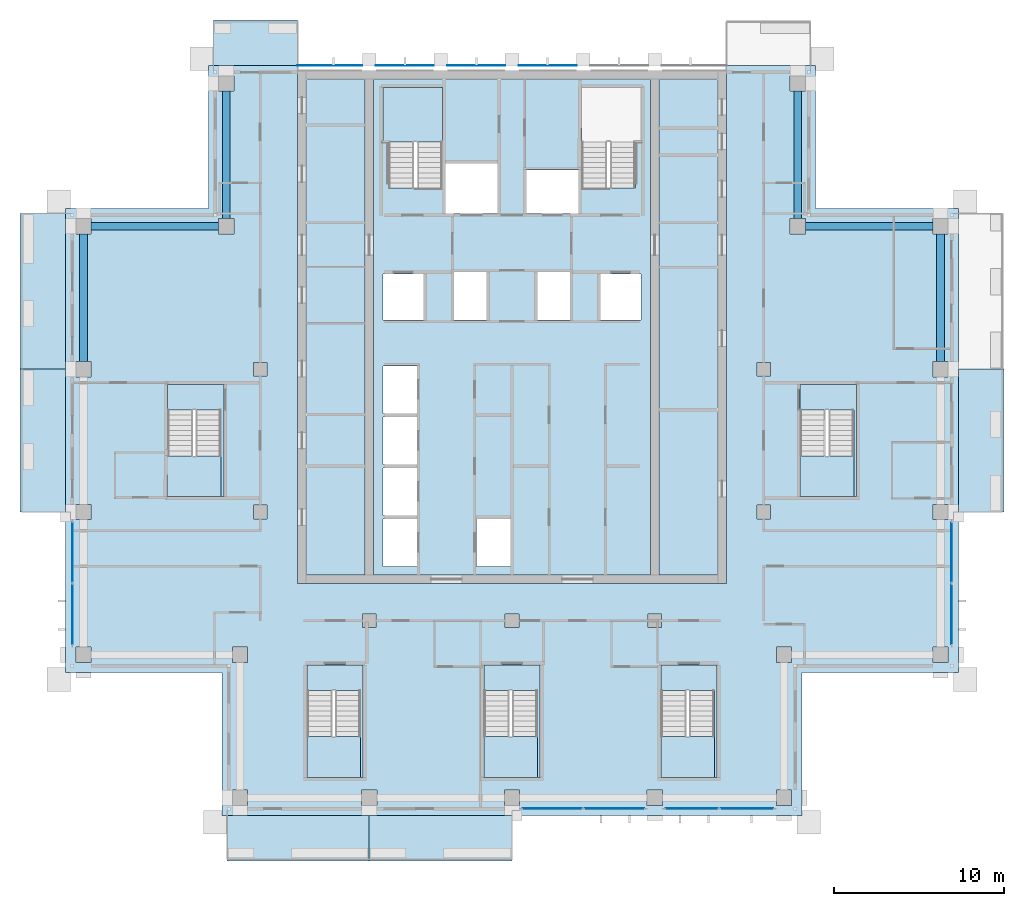
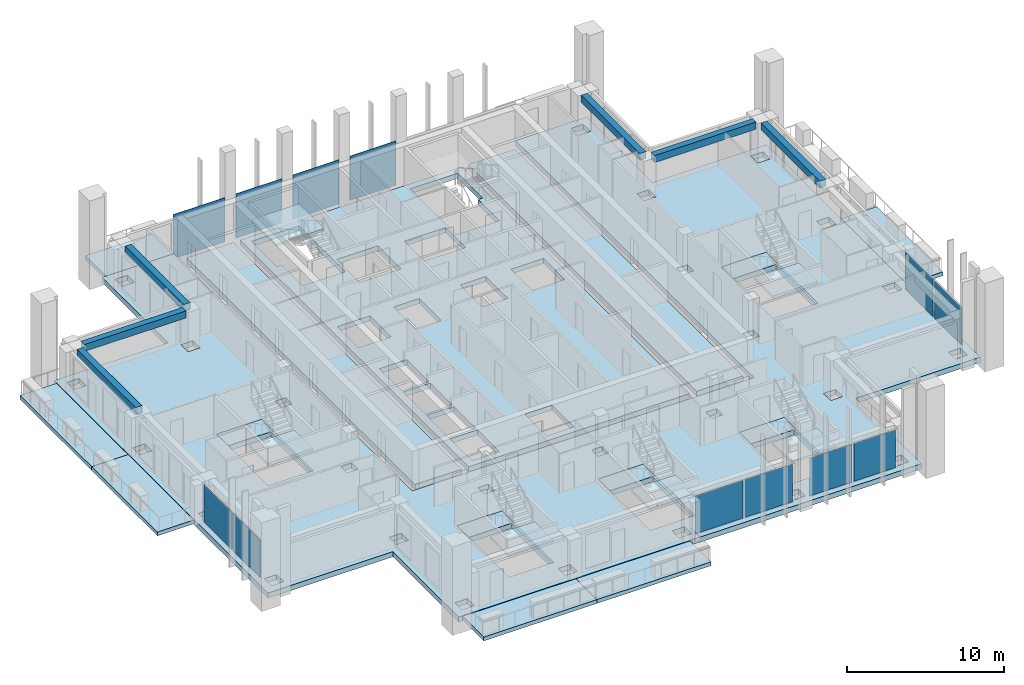
# One storey, part 5 of 16: 21 slabs, 12 plates, 6 beams, 10 elements without a shape of their own.
"""IFC4 building model written with IfcOpenShell, lengths in metres."""

from ifc_helpers import new_model, si_unit, direction, frame, origin, origin_2d, place, context, subcontext, project, spatial, polyline, rectangle, outline, extrude, material, layer, layer_set, material_profile, profile_set, type_object, element, aggregate, save


model = new_model("IFC4")

# Units and contexts
model_context = context("Model", 3, precision=1e-05, world=origin(), true_north=direction((0.0, 1.0)))
body_context = subcontext(model_context, "Body", "Model", "MODEL_VIEW")
ifc_project = project(units=[si_unit("LENGTHUNIT", "METRE"), si_unit("AREAUNIT", "SQUARE_METRE"), si_unit("VOLUMEUNIT", "CUBIC_METRE"), si_unit("PLANEANGLEUNIT", "RADIAN"), si_unit("MASSUNIT", "GRAM", prefix="KILO")], contexts=[model_context])

# Site, building, storey
site_placement = place(None, origin())
site = spatial("IfcSite", under=ifc_project, at=site_placement, CompositionType="ELEMENT")
building_placement = place(site_placement, origin())
building = spatial("IfcBuilding", under=site, at=building_placement, Name="Vermilion Ogive Tower", CompositionType="ELEMENT")
storey_placement = place(building_placement, frame((0.0, 0.0, 247.60009765625)))
storey = spatial("IfcBuildingStorey", under=building, at=storey_placement, Name="L65", CompositionType="ELEMENT", Elevation=247.60009765625)

# Beams
ifc_material_1 = material(Name="Concrete B45", Category="concrete")
ifc_material_profile = material_profile(ifc_material_1, rectangle(XDim=0.449951171875, YDim=0.550048828125, at=origin_2d()), Name="450 x 550")
ifc_profile_set = profile_set([ifc_material_profile], Name="Concrete B45")
beam_type = type_object("IfcBeamType", Name="Edge beam 450 x 550 B45", PredefinedType="BEAM", material=ifc_profile_set)
for number, where, z_axis, x_axis, name in (
    (1, (25.199951171875, 4.64990234375, 2.77490234375), (0.0, 1.0, 0.0), (-1.0, 0.0, 0.0), "L65-EB-9"),
    (2, (24.75, 12.60009765625, 2.77490234375), (-1.0, 0.0, 0.0), (0.0, -1.0, 0.0), "L65-EB-10"),
    (3, (16.800048828125, 13.050048828125, 2.77490234375), (0.0, 1.0, 0.0), (-1.0, 0.0, 0.0), "L65-EB-11"),
    (4, (-16.800048828125, 20.550048828125, 2.77490234375), (0.0, -1.0, 0.0), (1.0, 0.0, 0.0), "L65-EB-12"),
    (5, (-17.25, 12.60009765625, 2.77490234375), (-1.0, 0.0, 0.0), (0.0, -1.0, 0.0), "L65-EB-13"),
    (6, (-25.199951171875, 12.14990234375, 2.77490234375), (0.0, -1.0, 0.0), (1.0, 0.0, 0.0), "L65-EB-14"),
):
    element("IfcBeam", number, at=place(storey_placement, frame(where, z_axis=z_axis, x_axis=x_axis)), inside=storey, type_object=beam_type, Name=name, PredefinedType="BEAM", context=body_context, shape_type="SweptSolid", body=[
        extrude(rectangle(XDim=0.449951171875, YDim=0.550048828125, at=origin_2d()), origin(), (0.0, 0.0, 1.0), 7.5),
    ])

# Slabs
ifc_material_2 = material(Name="Concrete B40", Category="concrete")
ifc_layer_1 = layer(ifc_material_2, 0.300048828125)
ifc_layer_set_1 = layer_set([ifc_layer_1], Name="Balcony slab")
slab_type_1 = type_object("IfcSlabType", Name="Balcony slab", PredefinedType="FLOOR", material=ifc_layer_set_1)
slab_1_placement = place(storey_placement, frame((0.0, 0.0, -0.340087890625)))
element("IfcSlab", 7, at=slab_1_placement, inside=storey, type_object=slab_type_1, Name="Balcony slab S01", PredefinedType="FLOOR", context=body_context, shape_type="SweptSolid", body=[
    extrude(outline(polyline([(-16.75, -24.733642578125), (-8.39990234375, -24.733642578125), (-8.39990234375, -22.050048828125), (-16.75, -22.050048828125), (-16.75, -24.733642578125)])), origin(), (0.0, 0.0, 1.0), 0.300048828125),
])
slab_2_placement = place(storey_placement, frame((0.0, 0.0, -0.340087890625)))
element("IfcSlab", 8, at=slab_2_placement, inside=storey, type_object=slab_type_1, Name="Balcony slab S02", PredefinedType="FLOOR", context=body_context, shape_type="SweptSolid", body=[
    extrude(outline(polyline([(-8.39990234375, -24.733642578125), (0.0, -24.733642578125), (0.0, -22.050048828125), (-8.39990234375, -22.050048828125), (-8.39990234375, -24.733642578125)])), origin(), (0.0, 0.0, 1.0), 0.300048828125),
])
slab_3_placement = place(storey_placement, frame((0.0, 0.0, -0.340087890625)))
element("IfcSlab", 9, at=slab_3_placement, inside=storey, type_object=slab_type_1, Name="Balcony slab E02", PredefinedType="FLOOR", context=body_context, shape_type="SweptSolid", body=[
    extrude(outline(polyline([(28.93359375, -4.199951171875), (28.93359375, 4.199951171875), (26.25, 4.199951171875), (26.25, -4.199951171875), (28.93359375, -4.199951171875)])), origin(), (0.0, 0.0, 1.0), 0.300048828125),
])
slab_4_placement = place(storey_placement, frame((0.0, 0.0, -0.340087890625)))
element("IfcSlab", 10, at=slab_4_placement, inside=storey, type_object=slab_type_1, Name="Balcony slab N201", PredefinedType="FLOOR", context=body_context, shape_type="SweptSolid", body=[
    extrude(outline(polyline([(-12.60009765625, 24.733642578125), (-17.550048828125, 24.733642578125), (-17.550048828125, 22.050048828125), (-12.60009765625, 22.050048828125), (-12.60009765625, 24.733642578125)])), origin(), (0.0, 0.0, 1.0), 0.300048828125),
])
slab_5_placement = place(storey_placement, frame((0.0, 0.0, -0.340087890625)))
element("IfcSlab", 11, at=slab_5_placement, inside=storey, type_object=slab_type_1, Name="Balcony slab W01", PredefinedType="FLOOR", context=body_context, shape_type="SweptSolid", body=[
    extrude(outline(polyline([(-28.93359375, 13.35009765625), (-28.93359375, 4.199951171875), (-26.25, 4.199951171875), (-26.25, 13.35009765625), (-28.93359375, 13.35009765625)])), origin(), (0.0, 0.0, 1.0), 0.300048828125),
])
slab_6_placement = place(storey_placement, frame((0.0, 0.0, -0.340087890625)))
element("IfcSlab", 12, at=slab_6_placement, inside=storey, type_object=slab_type_1, Name="Balcony slab W02", PredefinedType="FLOOR", context=body_context, shape_type="SweptSolid", body=[
    extrude(outline(polyline([(-28.93359375, 4.199951171875), (-28.93359375, -4.199951171875), (-26.25, -4.199951171875), (-26.25, 4.199951171875), (-28.93359375, 4.199951171875)])), origin(), (0.0, 0.0, 1.0), 0.300048828125),
])

# Curtain wall, plates
ifc_material_3 = material(Name="Low-iron laminated glazing in aluminium frame", Category="aluminium")
curtain_wall_type = type_object("IfcCurtainWallType", Name="Curtain wall CW7", PredefinedType="NOTDEFINED", material=ifc_material_3)
curtain_wall_1_placement = place(storey_placement, origin())
curtain_wall_1 = element("IfcCurtainWall", 13, at=curtain_wall_1_placement, inside=storey, type_object=curtain_wall_type, Name="Glazed skin S3", PredefinedType="NOTDEFINED")
ifc_material_4 = material(Name="Low-iron laminated glazing in aluminium frame", Category="aluminium")
ifc_layer_2 = layer(ifc_material_4, 0.031982421875)
ifc_layer_set_2 = layer_set([ifc_layer_2], Name="CW7 glazing panel 32")
plate_type_1 = type_object("IfcPlateType", Name="CW7 glazing panel 32", PredefinedType="CURTAIN_PANEL", material=ifc_layer_set_2)
plate_1_placement = place(storey_placement, frame((2.3701171875, -21.64990234375, 0.06005859375), z_axis=(0.0, 0.0, 1.0), x_axis=(1.0, 0.0, 0.0)))
plate_1 = element("IfcPlate", 14, at=plate_1_placement, type_object=plate_type_1, Name="CW7-S3 panel 1.1", PredefinedType="CURTAIN_PANEL", context=body_context, shape_type="SweptSolid", body=[
    extrude(rectangle(XDim=3.47998046875, YDim=0.031982421875, at=origin_2d()), origin(), (0.0, 0.0, 1.0), 2.929931640625),
])
plate_2_placement = place(storey_placement, frame((6.030029296875, -21.64990234375, 0.06005859375), z_axis=(0.0, 0.0, 1.0), x_axis=(1.0, 0.0, 0.0)))
plate_2 = element("IfcPlate", 15, at=plate_2_placement, type_object=plate_type_1, Name="CW7-S3 panel 2.1", PredefinedType="CURTAIN_PANEL", context=body_context, shape_type="SweptSolid", body=[
    extrude(rectangle(XDim=3.47998046875, YDim=0.031982421875, at=origin_2d()), origin(), (0.0, 0.0, 1.0), 2.929931640625),
])
aggregate(curtain_wall_1, [plate_1, plate_2])

curtain_wall_2_placement = place(storey_placement, origin())
curtain_wall_2 = element("IfcCurtainWall", 16, at=curtain_wall_2_placement, inside=storey, type_object=curtain_wall_type, Name="Glazed skin S4", PredefinedType="NOTDEFINED")
plate_3_placement = place(storey_placement, frame((10.570068359375, -21.64990234375, 0.06005859375), z_axis=(0.0, 0.0, 1.0), x_axis=(1.0, 0.0, 0.0)))
plate_3 = element("IfcPlate", 17, at=plate_3_placement, type_object=plate_type_1, Name="CW7-S4 panel 1.1", PredefinedType="CURTAIN_PANEL", context=body_context, shape_type="SweptSolid", body=[
    extrude(rectangle(XDim=3.080078125, YDim=0.031982421875, at=origin_2d()), origin(), (0.0, 0.0, 1.0), 2.929931640625),
])
plate_4_placement = place(storey_placement, frame((13.830078125, -21.64990234375, 0.06005859375), z_axis=(0.0, 0.0, 1.0), x_axis=(1.0, 0.0, 0.0)))
plate_4 = element("IfcPlate", 18, at=plate_4_placement, type_object=plate_type_1, Name="CW7-S4 panel 2.1", PredefinedType="CURTAIN_PANEL", context=body_context, shape_type="SweptSolid", body=[
    extrude(rectangle(XDim=3.080078125, YDim=0.031982421875, at=origin_2d()), origin(), (0.0, 0.0, 1.0), 2.929931640625),
])
aggregate(curtain_wall_2, [plate_3, plate_4])

curtain_wall_3_placement = place(storey_placement, origin())
curtain_wall_3 = element("IfcCurtainWall", 19, at=curtain_wall_3_placement, inside=storey, type_object=curtain_wall_type, Name="Glazed skin E1", PredefinedType="NOTDEFINED")
plate_5_placement = place(storey_placement, frame((25.85009765625, -10.22998046875, 0.06005859375), z_axis=(0.0, 0.0, 1.0), x_axis=(0.0, 1.0, 0.0)))
plate_5 = element("IfcPlate", 20, at=plate_5_placement, type_object=plate_type_1, Name="CW7-E1 panel 1.1", PredefinedType="CURTAIN_PANEL", context=body_context, shape_type="SweptSolid", body=[
    extrude(rectangle(XDim=3.47998046875, YDim=0.031982421875, at=origin_2d()), origin(), (0.0, 0.0, 1.0), 2.929931640625),
])
plate_6_placement = place(storey_placement, frame((25.85009765625, -6.570068359375, 0.06005859375), z_axis=(0.0, 0.0, 1.0), x_axis=(0.0, 1.0, 0.0)))
plate_6 = element("IfcPlate", 21, at=plate_6_placement, type_object=plate_type_1, Name="CW7-E1 panel 2.1", PredefinedType="CURTAIN_PANEL", context=body_context, shape_type="SweptSolid", body=[
    extrude(rectangle(XDim=3.47998046875, YDim=0.031982421875, at=origin_2d()), origin(), (0.0, 0.0, 1.0), 2.929931640625),
])
aggregate(curtain_wall_3, [plate_5, plate_6])

curtain_wall_4_placement = place(storey_placement, origin())
curtain_wall_4 = element("IfcCurtainWall", 22, at=curtain_wall_4_placement, inside=storey, type_object=curtain_wall_type, Name="Glazed skin W3", PredefinedType="NOTDEFINED")
plate_7_placement = place(storey_placement, frame((-25.85009765625, -6.570068359375, 0.06005859375), z_axis=(0.0, 0.0, 1.0), x_axis=(0.0, -1.0, 0.0)))
plate_7 = element("IfcPlate", 23, at=plate_7_placement, type_object=plate_type_1, Name="CW7-W3 panel 1.1", PredefinedType="CURTAIN_PANEL", context=body_context, shape_type="SweptSolid", body=[
    extrude(rectangle(XDim=3.47998046875, YDim=0.031982421875, at=origin_2d()), origin(), (0.0, 0.0, 1.0), 2.929931640625),
])
plate_8_placement = place(storey_placement, frame((-25.85009765625, -10.22998046875, 0.06005859375), z_axis=(0.0, 0.0, 1.0), x_axis=(0.0, -1.0, 0.0)))
plate_8 = element("IfcPlate", 24, at=plate_8_placement, type_object=plate_type_1, Name="CW7-W3 panel 2.1", PredefinedType="CURTAIN_PANEL", context=body_context, shape_type="SweptSolid", body=[
    extrude(rectangle(XDim=3.47998046875, YDim=0.031982421875, at=origin_2d()), origin(), (0.0, 0.0, 1.0), 2.929931640625),
])
aggregate(curtain_wall_4, [plate_7, plate_8])

# Slabs
ifc_material_5 = material(Name="Concrete B40", Category="concrete")
ifc_layer_3 = layer(ifc_material_5, 0.39990234375)
ifc_layer_set_3 = layer_set([ifc_layer_3], Name="Core floor slab 400 B40")
slab_type_2 = type_object("IfcSlabType", Name="Core floor slab 400 B40", PredefinedType="FLOOR", material=ifc_layer_set_3)
slab_7_placement = place(storey_placement, frame((0.0, 0.0, -0.400146484375)))
element("IfcSlab", 25, at=slab_7_placement, inside=storey, type_object=slab_type_2, Name="L65-CK-FS1", PredefinedType="FLOOR", context=body_context, shape_type="SweptSolid", body=[
    extrude(outline(polyline([(-8.654052734375, 21.24609375), (-8.654052734375, -7.89599609375), (-12.095947265625, -7.89599609375), (-12.095947265625, 21.24609375), (-8.654052734375, 21.24609375)])), origin(), (0.0, 0.0, 1.0), 0.400146484375),
])
slab_8_placement = place(storey_placement, frame((0.0, 0.0, -0.400146484375)))
element("IfcSlab", 26, at=slab_8_placement, inside=storey, type_object=slab_type_2, Name="L65-CK-FS2", PredefinedType="FLOOR", context=body_context, shape_type="SweptSolid", body=[
    extrude(outline(polyline([(-8.14599609375, -7.89599609375), (8.14599609375, -7.89599609375), (8.14599609375, 21.24609375), (-8.14599609375, 21.24609375), (-8.14599609375, -7.89599609375)]), holes=[polyline([(-7.60009765625, -7.39990234375), (-7.60009765625, -4.60009765625), (-5.60009765625, -4.60009765625), (-5.60009765625, -7.39990234375), (-7.60009765625, -7.39990234375)]), polyline([(-7.60009765625, -4.39990234375), (-7.60009765625, -1.60009765625), (-5.60009765625, -1.60009765625), (-5.60009765625, -4.39990234375), (-7.60009765625, -4.39990234375)]), polyline([(-7.60009765625, -1.39990234375), (-7.60009765625, 1.39990234375), (-5.60009765625, 1.39990234375), (-5.60009765625, -1.39990234375), (-7.60009765625, -1.39990234375)]), polyline([(-7.60009765625, 1.60009765625), (-7.60009765625, 4.39990234375), (-5.60009765625, 4.39990234375), (-5.60009765625, 1.60009765625), (-7.60009765625, 1.60009765625)]), polyline([(-7.60009765625, 7.10009765625), (-7.60009765625, 9.800048828125), (-5.199951171875, 9.800048828125), (-5.199951171875, 7.10009765625), (-7.60009765625, 7.10009765625)]), polyline([(-3.39990234375, 9.89990234375), (-1.5, 9.89990234375), (-1.5, 7.10009765625), (-3.39990234375, 7.10009765625), (-3.39990234375, 9.89990234375)]), polyline([(-7.60009765625, 17.550048828125), (-7.60009765625, 20.75), (-4.10009765625, 20.75), (-4.10009765625, 14.85205078125), (-5.60009765625, 14.85205078125), (-5.60009765625, 14.85009765625), (-5.75, 14.85009765625), (-5.75, 14.85205078125), (-7.25, 14.85205078125), (-7.25, 17.550048828125), (-7.60009765625, 17.550048828125)]), polyline([(-2.10009765625, -7.39990234375), (-2.10009765625, -4.60009765625), (-0.10009765625, -4.60009765625), (-0.10009765625, -7.39990234375), (-2.10009765625, -7.39990234375)]), polyline([(5.199951171875, 7.10009765625), (5.199951171875, 9.800048828125), (7.60009765625, 9.800048828125), (7.60009765625, 7.10009765625), (5.199951171875, 7.10009765625)]), polyline([(1.5, 7.10009765625), (1.5, 9.89990234375), (3.39990234375, 9.89990234375), (3.39990234375, 7.10009765625), (1.5, 7.10009765625)]), polyline([(0.85009765625, 13.35009765625), (0.85009765625, 15.89990234375), (3.89990234375, 15.89990234375), (3.89990234375, 13.35009765625), (0.85009765625, 13.35009765625)]), polyline([(-3.89990234375, 16.300048828125), (-0.85009765625, 16.300048828125), (-0.85009765625, 13.35009765625), (-3.89990234375, 13.35009765625), (-3.89990234375, 16.300048828125)]), polyline([(5.75, 14.85009765625), (5.60009765625, 14.85009765625), (5.60009765625, 14.85205078125), (4.10009765625, 14.85205078125), (4.10009765625, 17.550048828125), (4.074951171875, 17.550048828125), (4.074951171875, 20.75), (7.60009765625, 20.75), (7.60009765625, 17.550048828125), (7.25, 17.550048828125), (7.25, 14.85205078125), (5.75, 14.85205078125), (5.75, 14.85009765625)])]), origin(), (0.0, 0.0, 1.0), 0.400146484375),
])
slab_9_placement = place(storey_placement, frame((0.0, 0.0, -0.400146484375)))
element("IfcSlab", 27, at=slab_9_placement, inside=storey, type_object=slab_type_2, Name="L65-CK-FS3", PredefinedType="FLOOR", context=body_context, shape_type="SweptSolid", body=[
    extrude(outline(polyline([(8.654052734375, 21.24609375), (12.095947265625, 21.24609375), (12.095947265625, -7.89599609375), (8.654052734375, -7.89599609375), (8.654052734375, 21.24609375)])), origin(), (0.0, 0.0, 1.0), 0.400146484375),
])
slab_10_placement = place(storey_placement, frame((0.0, 0.0, -0.400146484375)))
element("IfcSlab", 28, at=slab_10_placement, inside=storey, type_object=slab_type_2, Name="L65-SF-ST3-1", PredefinedType="FLOOR", context=body_context, shape_type="SweptSolid", body=[
    extrude(outline(polyline([(-12.050048828125, -13.199951171875), (-12.050048828125, -14.701904296875), (-10.550048828125, -14.701904296875), (-10.550048828125, -14.699951171875), (-10.39990234375, -14.699951171875), (-10.39990234375, -14.701904296875), (-8.89990234375, -14.701904296875), (-8.89990234375, -19.800048828125), (-8.75, -19.800048828125), (-8.75, -13.199951171875), (-12.050048828125, -13.199951171875)])), origin(), (0.0, 0.0, 1.0), 0.400146484375),
])
slab_11_placement = place(storey_placement, frame((0.0, 0.0, -0.400146484375)))
element("IfcSlab", 29, at=slab_11_placement, inside=storey, type_object=slab_type_2, Name="L65-SF-ST4-1", PredefinedType="FLOOR", context=body_context, shape_type="SweptSolid", body=[
    extrude(outline(polyline([(-1.64990234375, -13.199951171875), (-1.64990234375, -14.701904296875), (-0.14990234375, -14.701904296875), (-0.14990234375, -14.699951171875), (0.0, -14.699951171875), (0.0, -14.701904296875), (1.5, -14.701904296875), (1.5, -19.800048828125), (1.64990234375, -19.800048828125), (1.64990234375, -13.199951171875), (-1.64990234375, -13.199951171875)])), origin(), (0.0, 0.0, 1.0), 0.400146484375),
])
slab_12_placement = place(storey_placement, frame((0.0, 0.0, -0.400146484375)))
element("IfcSlab", 30, at=slab_12_placement, inside=storey, type_object=slab_type_2, Name="L65-SF-ST5-1", PredefinedType="FLOOR", context=body_context, shape_type="SweptSolid", body=[
    extrude(outline(polyline([(8.75, -13.199951171875), (8.75, -14.701904296875), (10.25, -14.701904296875), (10.25, -14.699951171875), (10.39990234375, -14.699951171875), (10.39990234375, -14.701904296875), (11.89990234375, -14.701904296875), (11.89990234375, -19.800048828125), (12.050048828125, -19.800048828125), (12.050048828125, -13.199951171875), (8.75, -13.199951171875)])), origin(), (0.0, 0.0, 1.0), 0.400146484375),
])
slab_13_placement = place(storey_placement, frame((0.0, 0.0, -0.400146484375)))
element("IfcSlab", 31, at=slab_13_placement, inside=storey, type_object=slab_type_2, Name="L65-SF-ST8-1", PredefinedType="FLOOR", context=body_context, shape_type="SweptSolid", body=[
    extrude(outline(polyline([(16.949951171875, 3.300048828125), (16.949951171875, 1.798095703125), (18.449951171875, 1.798095703125), (18.449951171875, 1.800048828125), (18.60009765625, 1.800048828125), (18.60009765625, 1.798095703125), (20.10009765625, 1.798095703125), (20.10009765625, -3.300048828125), (20.25, -3.300048828125), (20.25, 3.300048828125), (16.949951171875, 3.300048828125)])), origin(), (0.0, 0.0, 1.0), 0.400146484375),
])
slab_14_placement = place(storey_placement, frame((0.0, 0.0, -0.400146484375)))
element("IfcSlab", 32, at=slab_14_placement, inside=storey, type_object=slab_type_2, Name="L65-SF-ST9-1", PredefinedType="FLOOR", context=body_context, shape_type="SweptSolid", body=[
    extrude(outline(polyline([(-20.25, 3.300048828125), (-20.25, 1.798095703125), (-18.75, 1.798095703125), (-18.75, 1.800048828125), (-18.60009765625, 1.800048828125), (-18.60009765625, 1.798095703125), (-17.10009765625, 1.798095703125), (-17.10009765625, -3.300048828125), (-16.949951171875, -3.300048828125), (-16.949951171875, 3.300048828125), (-20.25, 3.300048828125)])), origin(), (0.0, 0.0, 1.0), 0.400146484375),
])

# Plates
ifc_material_6 = material(Name="Low-iron laminated glazing in aluminium frame", Category="aluminium")
ifc_layer_4 = layer(ifc_material_6, 0.031982421875)
ifc_layer_set_4 = layer_set([ifc_layer_4], Name="Glazed rainscreen sheet 32")
plate_type_2 = type_object("IfcPlateType", Name="Glazed rainscreen sheet 32", PredefinedType="SHEET", material=ifc_layer_set_4)
plate_9_placement = place(storey_placement, frame((-10.7099609375, 22.06591796875, -0.39990234375), z_axis=(0.0, 0.0, 1.0), x_axis=(1.0, 0.0, 0.0)))
element("IfcPlate", 33, at=plate_9_placement, inside=storey, type_object=plate_type_2, Name="Glazed rainscreen sheet N1", PredefinedType="SHEET", context=body_context, shape_type="SweptSolid", body=[
    extrude(rectangle(XDim=3.820068359375, YDim=0.031982421875, at=origin_2d()), origin(), (0.0, 0.0, 1.0), 3.449951171875),
])
for number, where, z_axis, x_axis, name in (
    (34, (-6.300048828125, 22.06591796875, -0.39990234375), (0.0, 0.0, 1.0), (1.0, 0.0, 0.0), "Glazed rainscreen sheet N2"),
    (35, (-2.10009765625, 22.06591796875, -0.39990234375), (0.0, 0.0, 1.0), (1.0, 0.0, 0.0), "Glazed rainscreen sheet N3"),
    (36, (2.10009765625, 22.06591796875, -0.39990234375), (0.0, 0.0, 1.0), (1.0, 0.0, 0.0), "Glazed rainscreen sheet N4"),
):
    element("IfcPlate", number, at=place(storey_placement, frame(where, z_axis=z_axis, x_axis=x_axis)), inside=storey, type_object=plate_type_2, Name=name, PredefinedType="SHEET", context=body_context, shape_type="SweptSolid", body=[
        extrude(rectangle(XDim=3.39990234375, YDim=0.031982421875, at=origin_2d()), origin(), (0.0, 0.0, 1.0), 3.449951171875),
    ])

# Slab
ifc_material_7 = material(Name="Concrete B45", Category="concrete")
ifc_layer_5 = layer(ifc_material_7, 0.39990234375)
ifc_layer_set_5 = layer_set([ifc_layer_5], Name="Post-tensioned flat plate 400 B45")
slab_type_3 = type_object("IfcSlabType", Name="Post-tensioned flat plate 400 B45", PredefinedType="FLOOR", material=ifc_layer_set_5)
slab_15_placement = place(storey_placement, frame((0.0, 0.0, -0.400146484375)))
element("IfcSlab", 37, at=slab_15_placement, inside=storey, type_object=slab_type_3, Name="L65-SL-1", PredefinedType="FLOOR", context=body_context, shape_type="SweptSolid", body=[
    extrude(outline(polyline([(-26.25, 13.64990234375), (-26.25, -13.64990234375), (-17.050048828125, -13.64990234375), (-17.050048828125, -22.050048828125), (17.050048828125, -22.050048828125), (17.050048828125, -13.64990234375), (26.25, -13.64990234375), (26.25, 13.64990234375), (17.85009765625, 13.64990234375), (17.85009765625, 22.050048828125), (12.60009765625, 22.050048828125), (12.60009765625, -8.39990234375), (-12.60009765625, -8.39990234375), (-12.60009765625, 22.050048828125), (-17.85009765625, 22.050048828125), (-17.85009765625, 13.64990234375), (-26.25, 13.64990234375)]), holes=[polyline([(24.75, -3.75), (25.64990234375, -3.75), (25.64990234375, -4.64990234375), (24.75, -4.64990234375), (24.75, -3.75)]), polyline([(24.75, -12.14990234375), (25.64990234375, -12.14990234375), (25.64990234375, -13.050048828125), (24.75, -13.050048828125), (24.75, -12.14990234375)]), polyline([(25.64990234375, 13.050048828125), (25.64990234375, 12.14990234375), (24.75, 12.14990234375), (24.75, 13.050048828125), (25.64990234375, 13.050048828125)]), polyline([(25.64990234375, 4.64990234375), (25.64990234375, 3.75), (24.75, 3.75), (24.75, 4.64990234375), (25.64990234375, 4.64990234375)]), polyline([(20.275146484375, -3.2998046875), (20.25, -3.2998046875), (20.25, -3.300048828125), (16.949951171875, -3.300048828125), (16.949951171875, 3.300048828125), (20.25, 3.300048828125), (20.25, -0.89990234375), (20.275146484375, -0.89990234375), (20.275146484375, -3.2998046875)]), polyline([(16.35009765625, 13.050048828125), (17.25, 13.050048828125), (17.25, 12.14990234375), (16.35009765625, 12.14990234375), (16.35009765625, 13.050048828125)]), polyline([(17.25, 21.449951171875), (17.25, 20.550048828125), (16.35009765625, 20.550048828125), (16.35009765625, 21.449951171875), (17.25, 21.449951171875)]), polyline([(15.550048828125, -12.14990234375), (16.449951171875, -12.14990234375), (16.449951171875, -13.050048828125), (15.550048828125, -13.050048828125), (15.550048828125, -12.14990234375)]), polyline([(15.550048828125, -20.550048828125), (16.449951171875, -20.550048828125), (16.449951171875, -21.449951171875), (15.550048828125, -21.449951171875), (15.550048828125, -20.550048828125)]), polyline([(14.39990234375, 4.60009765625), (15.199951171875, 4.60009765625), (15.199951171875, 3.800048828125), (14.39990234375, 3.800048828125), (14.39990234375, 4.60009765625)]), polyline([(15.199951171875, -3.800048828125), (15.199951171875, -4.60009765625), (14.39990234375, -4.60009765625), (14.39990234375, -3.800048828125), (15.199951171875, -3.800048828125)]), polyline([(8.75, -13.199951171875), (12.050048828125, -13.199951171875), (12.050048828125, -19.800048828125), (8.75, -19.800048828125), (8.75, -13.199951171875)]), polyline([(7.949951171875, -20.550048828125), (8.85009765625, -20.550048828125), (8.85009765625, -21.449951171875), (7.949951171875, -21.449951171875), (7.949951171875, -20.550048828125)]), polyline([(8.800048828125, -10.199951171875), (8.800048828125, -11.0), (8.0, -11.0), (8.0, -10.199951171875), (8.800048828125, -10.199951171875)]), polyline([(-1.64990234375, -13.199951171875), (1.64990234375, -13.199951171875), (1.64990234375, -19.800048828125), (-1.64990234375, -19.800048828125), (-1.64990234375, -13.199951171875)]), polyline([(-0.449951171875, -20.550048828125), (0.449951171875, -20.550048828125), (0.449951171875, -21.449951171875), (-0.449951171875, -21.449951171875), (-0.449951171875, -20.550048828125)]), polyline([(-0.39990234375, -10.199951171875), (0.39990234375, -10.199951171875), (0.39990234375, -11.0), (-0.39990234375, -11.0), (-0.39990234375, -10.199951171875)]), polyline([(-8.85009765625, -20.550048828125), (-7.949951171875, -20.550048828125), (-7.949951171875, -21.449951171875), (-8.85009765625, -21.449951171875), (-8.85009765625, -20.550048828125)]), polyline([(-8.800048828125, -10.199951171875), (-8.0, -10.199951171875), (-8.0, -11.0), (-8.800048828125, -11.0), (-8.800048828125, -10.199951171875)]), polyline([(-12.050048828125, -13.199951171875), (-8.75, -13.199951171875), (-8.75, -19.800048828125), (-12.050048828125, -19.800048828125), (-12.050048828125, -13.199951171875)]), polyline([(-15.199951171875, 4.60009765625), (-14.39990234375, 4.60009765625), (-14.39990234375, 3.800048828125), (-15.199951171875, 3.800048828125), (-15.199951171875, 4.60009765625)]), polyline([(-14.39990234375, -3.800048828125), (-14.39990234375, -4.60009765625), (-15.199951171875, -4.60009765625), (-15.199951171875, -3.800048828125), (-14.39990234375, -3.800048828125)]), polyline([(-16.449951171875, -12.14990234375), (-15.550048828125, -12.14990234375), (-15.550048828125, -13.050048828125), (-16.449951171875, -13.050048828125), (-16.449951171875, -12.14990234375)]), polyline([(-16.449951171875, -20.550048828125), (-15.550048828125, -20.550048828125), (-15.550048828125, -21.449951171875), (-16.449951171875, -21.449951171875), (-16.449951171875, -20.550048828125)]), polyline([(-17.25, 13.050048828125), (-16.35009765625, 13.050048828125), (-16.35009765625, 12.14990234375), (-17.25, 12.14990234375), (-17.25, 13.050048828125)]), polyline([(-16.35009765625, 21.449951171875), (-16.35009765625, 20.550048828125), (-17.25, 20.550048828125), (-17.25, 21.449951171875), (-16.35009765625, 21.449951171875)]), polyline([(-20.25, -3.300048828125), (-20.25, -3.2998046875), (-20.275146484375, -3.2998046875), (-20.275146484375, -0.89990234375), (-20.25, -0.89990234375), (-20.25, 3.300048828125), (-16.949951171875, 3.300048828125), (-16.949951171875, -3.300048828125), (-20.25, -3.300048828125)]), polyline([(-24.75, 4.64990234375), (-24.75, 3.75), (-25.64990234375, 3.75), (-25.64990234375, 4.64990234375), (-24.75, 4.64990234375)]), polyline([(-25.64990234375, 13.050048828125), (-24.75, 13.050048828125), (-24.75, 12.14990234375), (-25.64990234375, 12.14990234375), (-25.64990234375, 13.050048828125)]), polyline([(-25.64990234375, -3.75), (-24.75, -3.75), (-24.75, -4.64990234375), (-25.64990234375, -4.64990234375), (-25.64990234375, -3.75)]), polyline([(-25.64990234375, -12.14990234375), (-24.75, -12.14990234375), (-24.75, -13.050048828125), (-25.64990234375, -13.050048828125), (-25.64990234375, -12.14990234375)])]), origin(), (0.0, 0.0, 1.0), 0.400146484375),
])

# Stair, slab
ifc_material_8 = material(Name="Concrete B40", Category="concrete")
stair_type = type_object("IfcStairType", Name="Exit stair 1500", PredefinedType="HALF_TURN_STAIR", material=ifc_material_8)
stair_1_placement = place(storey_placement, origin())
stair_1 = element("IfcStair", 38, at=stair_1_placement, inside=storey, type_object=stair_type, Name="L65 Exit Stair ST1", PredefinedType="HALF_TURN_STAIR")
ifc_material_9 = material(Name="Concrete B40", Category="concrete")
ifc_layer_6 = layer(ifc_material_9, 0.199951171875)
ifc_layer_set_6 = layer_set([ifc_layer_6], Name="Stair landing 200")
slab_type_4 = type_object("IfcSlabType", Name="Stair landing 200", PredefinedType="LANDING", material=ifc_layer_set_6)
slab_16_placement = place(storey_placement, frame((0.0, 0.0, 1.52490234375)))
slab_16 = element("IfcSlab", 39, at=slab_16_placement, type_object=slab_type_4, Name="ST1 landing 1", PredefinedType="LANDING", context=body_context, shape_type="SweptSolid", body=[
    extrude(outline(polyline([(-7.60009765625, 17.550048828125), (-7.25, 17.550048828125), (-7.25, 17.548095703125), (-5.75, 17.548095703125), (-5.75, 17.550048828125), (-5.60009765625, 17.550048828125), (-5.60009765625, 17.548095703125), (-4.10009765625, 17.548095703125), (-4.10009765625, 20.75), (-7.60009765625, 20.75), (-7.60009765625, 17.550048828125)])), origin(), (0.0, 0.0, 1.0), 0.199951171875),
])
aggregate(stair_1, [slab_16])

stair_2_placement = place(storey_placement, origin())
stair_2 = element("IfcStair", 40, at=stair_2_placement, inside=storey, type_object=stair_type, Name="L65 Exit Stair ST3", PredefinedType="HALF_TURN_STAIR")
slab_17_placement = place(storey_placement, frame((0.0, 0.0, 1.52490234375)))
slab_17 = element("IfcSlab", 41, at=slab_17_placement, type_object=slab_type_4, Name="ST3 landing 1", PredefinedType="LANDING", context=body_context, shape_type="SweptSolid", body=[
    extrude(outline(polyline([(-8.75, -17.39990234375), (-8.89990234375, -17.39990234375), (-8.89990234375, -17.39794921875), (-10.39990234375, -17.39794921875), (-10.39990234375, -17.39990234375), (-10.550048828125, -17.39990234375), (-10.550048828125, -17.39794921875), (-12.050048828125, -17.39794921875), (-12.050048828125, -19.800048828125), (-8.75, -19.800048828125), (-8.75, -17.39990234375)])), origin(), (0.0, 0.0, 1.0), 0.199951171875),
])
aggregate(stair_2, [slab_17])

stair_3_placement = place(storey_placement, origin())
stair_3 = element("IfcStair", 42, at=stair_3_placement, inside=storey, type_object=stair_type, Name="L65 Exit Stair ST4", PredefinedType="HALF_TURN_STAIR")
slab_18_placement = place(storey_placement, frame((0.0, 0.0, 1.52490234375)))
slab_18 = element("IfcSlab", 43, at=slab_18_placement, type_object=slab_type_4, Name="ST4 landing 1", PredefinedType="LANDING", context=body_context, shape_type="SweptSolid", body=[
    extrude(outline(polyline([(1.64990234375, -17.39990234375), (1.5, -17.39990234375), (1.5, -17.39794921875), (0.0, -17.39794921875), (0.0, -17.39990234375), (-0.14990234375, -17.39990234375), (-0.14990234375, -17.39794921875), (-1.64990234375, -17.39794921875), (-1.64990234375, -19.7998046875), (1.64990234375, -19.7998046875), (1.64990234375, -17.39990234375)])), origin(), (0.0, 0.0, 1.0), 0.199951171875),
])
aggregate(stair_3, [slab_18])

stair_4_placement = place(storey_placement, origin())
stair_4 = element("IfcStair", 44, at=stair_4_placement, inside=storey, type_object=stair_type, Name="L65 Exit Stair ST5", PredefinedType="HALF_TURN_STAIR")
slab_19_placement = place(storey_placement, frame((0.0, 0.0, 1.52490234375)))
slab_19 = element("IfcSlab", 45, at=slab_19_placement, type_object=slab_type_4, Name="ST5 landing 1", PredefinedType="LANDING", context=body_context, shape_type="SweptSolid", body=[
    extrude(outline(polyline([(12.050048828125, -17.39990234375), (11.89990234375, -17.39990234375), (11.89990234375, -17.39794921875), (10.39990234375, -17.39794921875), (10.39990234375, -17.39990234375), (10.25, -17.39990234375), (10.25, -17.39794921875), (8.75, -17.39794921875), (8.75, -19.800048828125), (12.050048828125, -19.800048828125), (12.050048828125, -17.39990234375)])), origin(), (0.0, 0.0, 1.0), 0.199951171875),
])
aggregate(stair_4, [slab_19])

stair_5_placement = place(storey_placement, origin())
stair_5 = element("IfcStair", 46, at=stair_5_placement, inside=storey, type_object=stair_type, Name="L65 Exit Stair ST8", PredefinedType="HALF_TURN_STAIR")
slab_20_placement = place(storey_placement, frame((0.0, 0.0, 1.52490234375)))
slab_20 = element("IfcSlab", 47, at=slab_20_placement, type_object=slab_type_4, Name="ST8 landing 1", PredefinedType="LANDING", context=body_context, shape_type="SweptSolid", body=[
    extrude(outline(polyline([(20.25, -0.89990234375), (20.10009765625, -0.89990234375), (20.10009765625, -0.89794921875), (18.60009765625, -0.89794921875), (18.60009765625, -0.89990234375), (18.449951171875, -0.89990234375), (18.449951171875, -0.89794921875), (16.949951171875, -0.89794921875), (16.949951171875, -0.902099609375), (16.9501953125, -0.902099609375), (16.9501953125, -3.2998046875), (20.25, -3.2998046875), (20.25, -0.89990234375)])), origin(), (0.0, 0.0, 1.0), 0.199951171875),
])
aggregate(stair_5, [slab_20])

stair_6_placement = place(storey_placement, origin())
stair_6 = element("IfcStair", 48, at=stair_6_placement, inside=storey, type_object=stair_type, Name="L65 Exit Stair ST9", PredefinedType="HALF_TURN_STAIR")
slab_21_placement = place(storey_placement, frame((0.0, 0.0, 1.52490234375)))
slab_21 = element("IfcSlab", 49, at=slab_21_placement, type_object=slab_type_4, Name="ST9 landing 1", PredefinedType="LANDING", context=body_context, shape_type="SweptSolid", body=[
    extrude(outline(polyline([(-16.9501953125, -0.89990234375), (-17.10009765625, -0.89990234375), (-17.10009765625, -0.89794921875), (-18.60009765625, -0.89794921875), (-18.60009765625, -0.89990234375), (-18.75, -0.89990234375), (-18.75, -0.89794921875), (-20.25, -0.89794921875), (-20.25, -0.89990234375), (-20.275146484375, -0.89990234375), (-20.275146484375, -3.2998046875), (-16.9501953125, -3.2998046875), (-16.9501953125, -0.89990234375)])), origin(), (0.0, 0.0, 1.0), 0.199951171875),
])
aggregate(stair_6, [slab_21])

save(model, "model.ifc")
